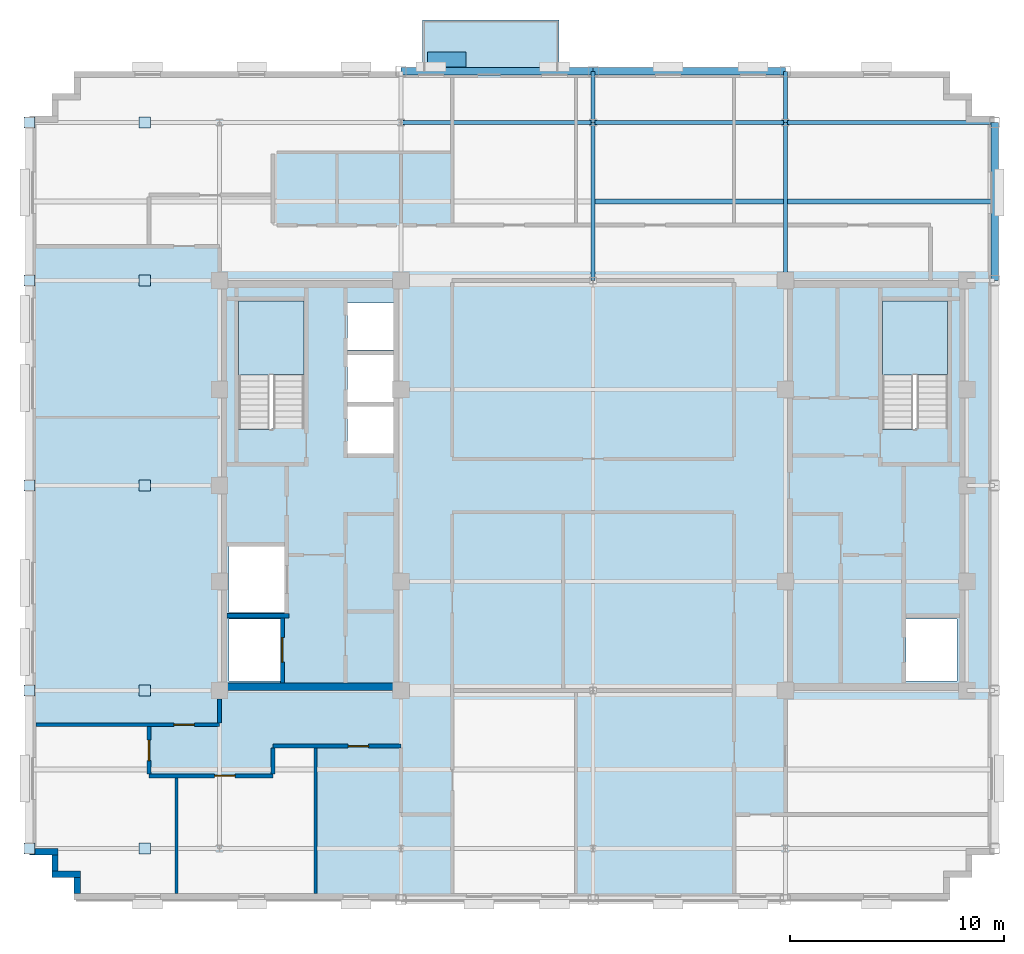
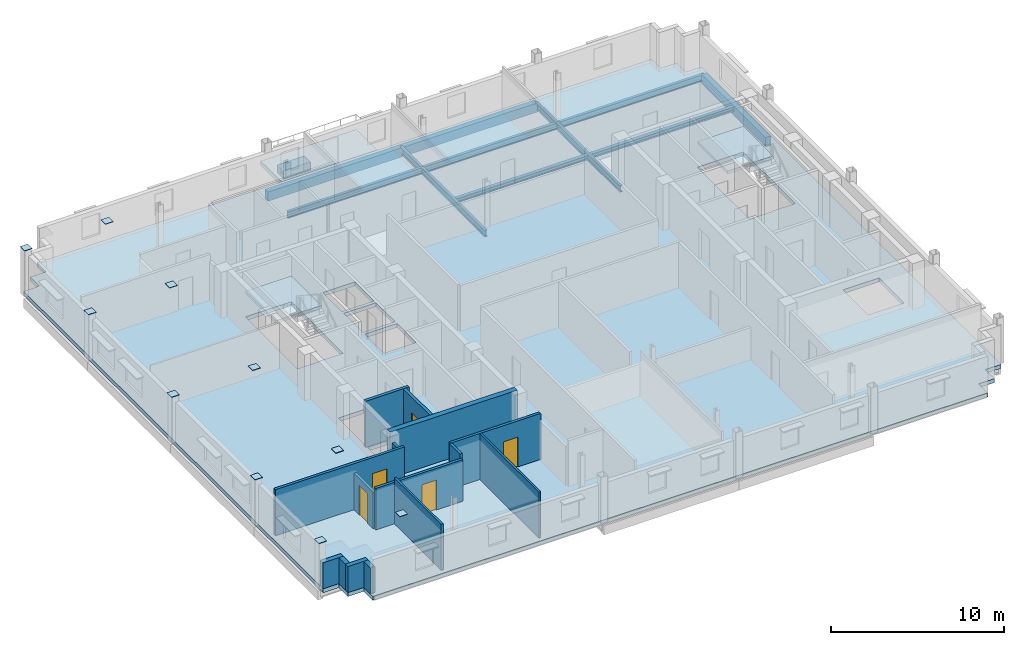
# One storey, part 5 of 14: 15 walls, 12 beams, 11 plates, 5 doors, 4 slabs, 5 openings, 2 elements without a shape of their own.
"""IFC4 building model written with IfcOpenShell, lengths in metres."""

from ifc_helpers import new_model, si_unit, direction, frame, frame_2d, origin, origin_2d, place, context, subcontext, project, spatial, polyline, rectangle, i_section, outline, extrude, source, transform, mapped, material, layer, layer_set, material_profile, profile_set, type_object, type_shapes, element, fill, aggregate, save


model = new_model("IFC4")

# Units and contexts
model_context = context("Model", 3, precision=1e-05, world=origin(), true_north=direction((0.0, 1.0)))
body_context = subcontext(model_context, "Body", "Model", "MODEL_VIEW")
ifc_project = project(units=[si_unit("LENGTHUNIT", "METRE"), si_unit("AREAUNIT", "SQUARE_METRE"), si_unit("VOLUMEUNIT", "CUBIC_METRE"), si_unit("PLANEANGLEUNIT", "RADIAN"), si_unit("MASSUNIT", "GRAM", prefix="KILO")], contexts=[model_context])

# Site, building, storey
site_placement = place(None, origin())
site = spatial("IfcSite", under=ifc_project, at=site_placement, CompositionType="ELEMENT")
building_placement = place(site_placement, origin())
building = spatial("IfcBuilding", under=site, at=building_placement, Name="Nuvemarco Arch Tower", CompositionType="ELEMENT")
storey_placement = place(building_placement, frame((0.0, 0.0, 242.0)))
storey = spatial("IfcBuildingStorey", under=building, at=storey_placement, Name="L64", CompositionType="ELEMENT", Elevation=242.0)

# Beams
ifc_material_1 = material(Name="Steel S355", Category="steel")
ifc_material_profile_1 = material_profile(ifc_material_1, i_section(OverallWidth=0.19189453125, OverallDepth=0.462890625, WebThickness=0.010498046875, FlangeThickness=0.017578125, FilletRadius=0.014892578125, at=origin_2d()), Name="W460x89")
ifc_profile_set_1 = profile_set([ifc_material_profile_1], Name="Steel S355")
beam_type_1 = type_object("IfcBeamType", Name="BM-GIRD-460", PredefinedType="BEAM", material=ifc_profile_set_1)
beam_1_placement = place(storey_placement, frame((0.0, 9.60009765625, -0.511474609375), z_axis=(0.0, 1.0, 0.0), x_axis=(-1.0, 0.0, 0.0)))
element("IfcBeam", 1, at=beam_1_placement, inside=storey, type_object=beam_type_1, Name="L64 structural beam BGNS_L64_0_+0.0_+9.6", PredefinedType="BEAM", context=body_context, shape_type="SweptSolid", body=[
    extrude(i_section(OverallWidth=0.19189453125, OverallDepth=0.462890625, WebThickness=0.010498046875, FlangeThickness=0.017578125, FilletRadius=0.014892578125, at=origin_2d()), origin(), (0.0, 0.0, 1.0), 7.39990234375),
])
beam_2_placement = place(storey_placement, frame((0.0, 17.0, -0.511474609375), z_axis=(0.0, 1.0, 0.0), x_axis=(-1.0, 0.0, 0.0)))
element("IfcBeam", 2, at=beam_2_placement, inside=storey, type_object=beam_type_1, Name="L64 structural beam BGNS_L64_0_+0.0_+17.0", PredefinedType="BEAM", context=body_context, shape_type="SweptSolid", body=[
    extrude(i_section(OverallWidth=0.19189453125, OverallDepth=0.462890625, WebThickness=0.010498046875, FlangeThickness=0.017578125, FilletRadius=0.014892578125, at=origin_2d()), origin(), (0.0, 0.0, 1.0), 2.39990234375),
])
beam_3_placement = place(storey_placement, frame((9.0, 9.60009765625, -0.511474609375), z_axis=(0.0, 1.0, 0.0), x_axis=(-1.0, 0.0, 0.0)))
element("IfcBeam", 3, at=beam_3_placement, inside=storey, type_object=beam_type_1, Name="L64 structural beam BGNS_L64_0_+9.0_+9.6", PredefinedType="BEAM", context=body_context, shape_type="SweptSolid", body=[
    extrude(i_section(OverallWidth=0.19189453125, OverallDepth=0.462890625, WebThickness=0.010498046875, FlangeThickness=0.017578125, FilletRadius=0.014892578125, at=origin_2d()), origin(), (0.0, 0.0, 1.0), 7.39990234375),
])
beam_4_placement = place(storey_placement, frame((9.0, 17.0, -0.511474609375), z_axis=(0.0, 1.0, 0.0), x_axis=(-1.0, 0.0, 0.0)))
element("IfcBeam", 4, at=beam_4_placement, inside=storey, type_object=beam_type_1, Name="L64 structural beam BGNS_L64_0_+9.0_+17.0", PredefinedType="BEAM", context=body_context, shape_type="SweptSolid", body=[
    extrude(i_section(OverallWidth=0.19189453125, OverallDepth=0.462890625, WebThickness=0.010498046875, FlangeThickness=0.017578125, FilletRadius=0.014892578125, at=origin_2d()), origin(), (0.0, 0.0, 1.0), 2.39990234375),
])
for number, where, z_axis, x_axis, name in (
    (5, (-9.0, 17.0, -0.511474609375), (1.0, 0.0, 0.0), (0.0, 1.0, 0.0), "L64 structural beam BGEW_L64_0_+17.0_-9.0"),
    (6, (0.0, 17.0, -0.511474609375), (1.0, 0.0, 0.0), (0.0, 1.0, 0.0), "L64 structural beam BGEW_L64_0_+17.0_+0.0"),
):
    element("IfcBeam", number, at=place(storey_placement, frame(where, z_axis=z_axis, x_axis=x_axis)), inside=storey, type_object=beam_type_1, Name=name, PredefinedType="BEAM", context=body_context, shape_type="SweptSolid", body=[
        extrude(i_section(OverallWidth=0.19189453125, OverallDepth=0.462890625, WebThickness=0.010498046875, FlangeThickness=0.017578125, FilletRadius=0.014892578125, at=origin_2d()), origin(), (0.0, 0.0, 1.0), 9.0),
    ])
beam_5_placement = place(storey_placement, frame((9.0, 17.0, -0.511474609375), z_axis=(1.0, 0.0, 0.0), x_axis=(0.0, 1.0, 0.0)))
element("IfcBeam", 7, at=beam_5_placement, inside=storey, type_object=beam_type_1, Name="L64 structural beam BGEW_L64_0_+17.0_+9.0", PredefinedType="BEAM", context=body_context, shape_type="SweptSolid", body=[
    extrude(i_section(OverallWidth=0.19189453125, OverallDepth=0.462890625, WebThickness=0.010498046875, FlangeThickness=0.017578125, FilletRadius=0.014892578125, at=origin_2d()), origin(), (0.0, 0.0, 1.0), 9.800048828125),
])
ifc_material_profile_2 = material_profile(ifc_material_1, i_section(OverallWidth=0.25390625, OverallDepth=0.305908203125, WebThickness=0.0087890625, FlangeThickness=0.0146484375, FilletRadius=0.014892578125, at=origin_2d()), Name="W310x79")
ifc_profile_set_2 = profile_set([ifc_material_profile_2], Name="Steel S355")
beam_type_2 = type_object("IfcBeamType", Name="BM-JOIST-310H", PredefinedType="JOIST", material=ifc_profile_set_2)
beam_6_placement = place(storey_placement, frame((0.095947265625, 13.300048828125, -0.43310546875), z_axis=(1.0, 0.0, 0.0), x_axis=(0.0, 1.0, 0.0)))
element("IfcBeam", 8, at=beam_6_placement, inside=storey, type_object=beam_type_2, Name="L64 structural beam BJ_L64_0_+13.3_+0.0", PredefinedType="JOIST", context=body_context, shape_type="SweptSolid", body=[
    extrude(i_section(OverallWidth=0.25390625, OverallDepth=0.305908203125, WebThickness=0.0087890625, FlangeThickness=0.0146484375, FilletRadius=0.014892578125, at=origin_2d()), origin(), (0.0, 0.0, 1.0), 8.80810546875),
])
beam_7_placement = place(storey_placement, frame((9.095947265625, 13.300048828125, -0.43310546875), z_axis=(1.0, 0.0, 0.0), x_axis=(0.0, 1.0, 0.0)))
element("IfcBeam", 9, at=beam_7_placement, inside=storey, type_object=beam_type_2, Name="L64 structural beam BJ_L64_0_+13.3_+9.0", PredefinedType="JOIST", context=body_context, shape_type="SweptSolid", body=[
    extrude(i_section(OverallWidth=0.25390625, OverallDepth=0.305908203125, WebThickness=0.0087890625, FlangeThickness=0.0146484375, FilletRadius=0.014892578125, at=origin_2d()), origin(), (0.0, 0.0, 1.0), 9.529052734375),
])
ifc_material_2 = material(Name="Precast concrete C45/55", Category="concrete")
ifc_material_profile_3 = material_profile(ifc_material_2, rectangle(XDim=0.35009765625, YDim=0.64990234375, at=origin_2d()), Name="PC-SP-350x650")
ifc_profile_set_3 = profile_set([ifc_material_profile_3], Name="Precast concrete C45/55")
beam_type_3 = type_object("IfcBeamType", Name="BM-SPAN-RC", PredefinedType="SPANDREL", material=ifc_profile_set_3)
beam_8_placement = place(storey_placement, frame((18.800048828125, 9.60009765625, -0.60498046875), z_axis=(0.0, 1.0, 0.0), x_axis=(-1.0, 0.0, 0.0)))
element("IfcBeam", 10, at=beam_8_placement, inside=storey, type_object=beam_type_3, Name="L64 structural beam BGNS_L64_0_+18.8_+9.6", PredefinedType="SPANDREL", context=body_context, shape_type="SweptSolid", body=[
    extrude(rectangle(XDim=0.35009765625, YDim=0.64990234375, at=origin_2d()), origin(), (0.0, 0.0, 1.0), 7.39990234375),
])
for number, where, z_axis, x_axis, name in (
    (11, (-9.0, 19.39990234375, -0.60498046875), (1.0, 0.0, 0.0), (0.0, 1.0, 0.0), "L64 structural beam BGEW_L64_0_+19.4_-9.0"),
    (12, (0.0, 19.39990234375, -0.60498046875), (1.0, 0.0, 0.0), (0.0, 1.0, 0.0), "L64 structural beam BGEW_L64_0_+19.4_+0.0"),
):
    element("IfcBeam", number, at=place(storey_placement, frame(where, z_axis=z_axis, x_axis=x_axis)), inside=storey, type_object=beam_type_3, Name=name, PredefinedType="SPANDREL", context=body_context, shape_type="SweptSolid", body=[
        extrude(rectangle(XDim=0.35009765625, YDim=0.64990234375, at=origin_2d()), origin(), (0.0, 0.0, 1.0), 9.0),
    ])

# Slab
ifc_material_3 = material(Name="Concrete C50/60", Category="concrete")
ifc_layer_1 = layer(ifc_material_3, 0.280029296875, Name="SL-FLR-280")
ifc_layer_set_1 = layer_set([ifc_layer_1], Name="Concrete C50/60")
slab_type_1 = type_object("IfcSlabType", Name="SL-FLR-280", PredefinedType="FLOOR", material=ifc_layer_set_1)
slab_1_placement = place(storey_placement, frame((0.0, 0.0, -0.280029296875)))
element("IfcSlab", 13, at=slab_1_placement, inside=storey, type_object=slab_type_1, Name="L64 structural floor slab", PredefinedType="FLOOR", context=body_context, shape_type="SweptSolid", body=[
    extrude(outline(polyline([(-24.300048828125, -19.39990234375), (16.699951171875, -19.39990234375), (16.699951171875, -18.35009765625), (17.75, -18.35009765625), (17.75, -17.300048828125), (18.800048828125, -17.300048828125), (18.800048828125, 17.300048828125), (17.75, 17.300048828125), (17.75, 18.35009765625), (16.699951171875, 18.35009765625), (16.699951171875, 19.39990234375), (-24.300048828125, 19.39990234375), (-24.300048828125, 18.35009765625), (-25.35009765625, 18.35009765625), (-25.35009765625, 17.300048828125), (-26.39990234375, 17.300048828125), (-26.39990234375, -17.300048828125), (-25.35009765625, -17.300048828125), (-25.35009765625, -18.35009765625), (-24.300048828125, -18.35009765625), (-24.300048828125, -19.39990234375)]), holes=[polyline([(-13.5400390625, 2.669921875), (-13.5400390625, 8.64990234375), (-16.60009765625, 8.64990234375), (-16.60009765625, 2.630615234375), (-15.070068359375, 2.630615234375), (-15.070068359375, 2.669921875), (-13.5400390625, 2.669921875)]), polyline([(16.60009765625, 2.669921875), (16.60009765625, 8.64990234375), (13.5400390625, 8.64990234375), (13.5400390625, 2.630615234375), (15.070068359375, 2.630615234375), (15.070068359375, 2.669921875), (16.60009765625, 2.669921875)]), polyline([(-17.050048828125, -9.14990234375), (-14.64990234375, -9.14990234375), (-14.64990234375, -6.25), (-17.050048828125, -6.25), (-17.050048828125, -9.14990234375)]), polyline([(-17.050048828125, -5.949951171875), (-14.449951171875, -5.949951171875), (-14.449951171875, -2.85009765625), (-17.050048828125, -2.85009765625), (-17.050048828125, -5.949951171875)]), polyline([(-11.5, 1.5), (-9.35009765625, 1.5), (-9.35009765625, 3.699951171875), (-11.5, 3.699951171875), (-11.5, 1.5)]), polyline([(-11.5, 3.919921875), (-9.35009765625, 3.919921875), (-9.35009765625, 6.1201171875), (-11.5, 6.1201171875), (-11.5, 3.919921875)]), polyline([(-11.5, 6.340087890625), (-9.35009765625, 6.340087890625), (-9.35009765625, 8.5400390625), (-11.5, 8.5400390625), (-11.5, 6.340087890625)]), polyline([(14.64990234375, -9.14990234375), (17.050048828125, -9.14990234375), (17.050048828125, -6.25), (14.64990234375, -6.25), (14.64990234375, -9.14990234375)])]), origin(), (0.0, 0.0, 1.0), 0.280029296875),
])

# Stair, slab
stair_type = type_object("IfcStairType", Name="ST-CORE-20R", PredefinedType="HALF_TURN_STAIR", material=ifc_material_2)
stair_1_placement = place(storey_placement, origin())
stair_1 = element("IfcStair", 14, at=stair_1_placement, inside=storey, type_object=stair_type, Name="L64 Protected Exit Stair ST-1", PredefinedType="HALF_TURN_STAIR")
ifc_layer_2 = layer(ifc_material_2, 0.199951171875, Name="SL-LANDING-200")
ifc_layer_set_2 = layer_set([ifc_layer_2], Name="Precast concrete C45/55")
slab_type_2 = type_object("IfcSlabType", Name="SL-LANDING-200", PredefinedType="LANDING", material=ifc_layer_set_2)
slab_2_placement = place(storey_placement, frame((0.0, 0.0, 1.625)))
slab_2 = element("IfcSlab", 15, at=slab_2_placement, type_object=slab_type_2, Name="ST-20R landing 1", PredefinedType="LANDING", context=body_context, shape_type="SweptSolid", body=[
    extrude(outline(polyline([(-13.5400390625, 5.189453125), (-13.5400390625, 8.64990234375), (-16.60009765625, 8.64990234375), (-16.60009765625, 5.169921875), (-15.070068359375, 5.169921875), (-15.070068359375, 5.189453125), (-13.5400390625, 5.189453125)])), origin(), (0.0, 0.0, 1.0), 0.199951171875),
])
aggregate(stair_1, [slab_2])

stair_2_placement = place(storey_placement, origin())
stair_2 = element("IfcStair", 16, at=stair_2_placement, inside=storey, type_object=stair_type, Name="L64 Protected Exit Stair ST-2", PredefinedType="HALF_TURN_STAIR")
slab_3_placement = place(storey_placement, frame((0.0, 0.0, 1.625)))
slab_3 = element("IfcSlab", 17, at=slab_3_placement, type_object=slab_type_2, Name="ST-20R landing 1", PredefinedType="LANDING", context=body_context, shape_type="SweptSolid", body=[
    extrude(outline(polyline([(16.60009765625, 5.189453125), (16.60009765625, 8.64990234375), (13.5400390625, 8.64990234375), (13.5400390625, 5.169921875), (15.070068359375, 5.169921875), (15.070068359375, 5.189453125), (16.60009765625, 5.189453125)])), origin(), (0.0, 0.0, 1.0), 0.199951171875),
])
aggregate(stair_2, [slab_3])

# Slab
ifc_layer_3 = layer(ifc_material_3, 0.294921875, Name="SL-TR4")
ifc_layer_set_3 = layer_set([ifc_layer_3], Name="Concrete C50/60")
slab_type_3 = type_object("IfcSlabType", Name="SL-TR4", PredefinedType="FLOOR", material=ifc_layer_set_3)
slab_4_placement = place(storey_placement, frame((0.0, 0.0, -0.294921875)))
element("IfcSlab", 18, at=slab_4_placement, inside=storey, type_object=slab_type_3, Name="L64 outdoor spiral terrace slab 1", PredefinedType="FLOOR", context=body_context, shape_type="SweptSolid", body=[
    extrude(outline(polyline([(-8.0, 19.39990234375), (-1.60009765625, 19.39990234375), (-1.60009765625, 21.800048828125), (-8.0, 21.800048828125), (-8.0, 19.39990234375)])), origin(), (0.0, 0.0, 1.0), 0.294921875),
])

# Plates
ifc_layer_4 = layer(ifc_material_1, 0.030029296875, Name="PL-CAP-500-EXT")
ifc_layer_set_4 = layer_set([ifc_layer_4], Name="Steel S355")
plate_type_1 = type_object("IfcPlateType", Name="PL-CAP-500-EXT", PredefinedType="SHEET", material=ifc_layer_set_4)
shared_shape_1 = source(origin(), body_context, "Body", "SweptSolid", [
    extrude(rectangle(XDim=0.52001953125, YDim=0.52001953125, at=origin_2d()), origin(), (0.0, 0.0, 1.0), 0.030029296875),
])
type_shapes(plate_type_1, [shared_shape_1])
for number, where, z_axis, x_axis, name in (
    (19, (-26.39990234375, -17.0, 3.23486328125), (0.0, 0.0, 1.0), (1.0, 0.0, 0.0), "Hollow steel end-cap plate COL-L64-CX_-26.4_-17.0_TOP"),
    (20, (-26.39990234375, -9.60009765625, 3.23486328125), (0.0, 0.0, 1.0), (1.0, 0.0, 0.0), "Hollow steel end-cap plate COL-L64-CX_-26.4_-9.6_TOP"),
    (21, (-26.39990234375, 0.0, 3.23486328125), (0.0, 0.0, 1.0), (1.0, 0.0, 0.0), "Hollow steel end-cap plate COL-L64-CX_-26.4_+0.0_TOP"),
    (22, (-26.39990234375, 9.60009765625, 3.23486328125), (0.0, 0.0, 1.0), (1.0, 0.0, 0.0), "Hollow steel end-cap plate COL-L64-CX_-26.4_+9.6_TOP"),
    (23, (-26.39990234375, 17.0, 3.23486328125), (0.0, 0.0, 1.0), (1.0, 0.0, 0.0), "Hollow steel end-cap plate COL-L64-CX_-26.4_+17.0_TOP"),
    (24, (-21.0, -17.0, 3.23486328125), (0.0, 0.0, 1.0), (1.0, 0.0, 0.0), "Hollow steel end-cap plate COL-L65-CX_-21.0_-17.0_BOT"),
    (25, (-21.0, -9.60009765625, 3.23486328125), (0.0, 0.0, 1.0), (1.0, 0.0, 0.0), "Hollow steel end-cap plate COL-L65-CX_-21.0_-9.6_BOT"),
    (26, (-21.0, 0.0, 3.23486328125), (0.0, 0.0, 1.0), (1.0, 0.0, 0.0), "Hollow steel end-cap plate COL-L65-CX_-21.0_+0.0_BOT"),
    (27, (-21.0, 9.60009765625, 3.23486328125), (0.0, 0.0, 1.0), (1.0, 0.0, 0.0), "Hollow steel end-cap plate COL-L65-CX_-21.0_+9.6_BOT"),
    (28, (-21.0, 17.0, 3.23486328125), (0.0, 0.0, 1.0), (1.0, 0.0, 0.0), "Hollow steel end-cap plate COL-L65-CX_-21.0_+17.0_BOT"),
):
    element("IfcPlate", number, at=place(storey_placement, frame(where, z_axis=z_axis, x_axis=x_axis)), inside=storey, type_object=plate_type_1, Name=name, PredefinedType="SHEET", context=body_context, shape_type="MappedRepresentation", body=[
        mapped(shared_shape_1, transform((0.0, 0.0, 0.0), scale=1.0)),
    ])
ifc_layer_5 = layer(ifc_material_2, 0.550048828125, Name="Tree Balcony Structural Planter")
ifc_layer_set_5 = layer_set([ifc_layer_5], Name="Precast concrete C45/55")
plate_type_2 = type_object("IfcPlateType", Name="Tree Balcony Structural Planter", PredefinedType="USERDEFINED", material=ifc_layer_set_5)
shared_shape_2 = source(origin(), body_context, "Body", "SweptSolid", [
    extrude(rectangle(XDim=1.800048828125, YDim=0.699951171875, at=origin_2d()), origin(), (0.0, 0.0, 1.0), 0.550048828125),
])
type_shapes(plate_type_2, [shared_shape_2])
plate_placement = place(storey_placement, frame((-6.85009765625, 19.949951171875, 0.0), z_axis=(0.0, 0.0, 1.0), x_axis=(1.0, 0.0, 0.0)))
element("IfcPlate", 29, at=plate_placement, inside=storey, type_object=plate_type_2, Name="L64 Tree Balcony Structural Planter", ObjectType="PLANTER", PredefinedType="USERDEFINED", context=body_context, shape_type="MappedRepresentation", body=[
    mapped(shared_shape_2, transform((0.0, 0.0, 0.0), scale=1.0)),
])

# Walls
ifc_layer_6 = layer(ifc_material_2, 0.300048828125, Name="EW-HIGH-300")
ifc_layer_set_6 = layer_set([ifc_layer_6], Name="Precast concrete C45/55")
wall_type_1 = type_object("IfcWallType", Name="EW-HIGH-300", PredefinedType="STANDARD", material=ifc_layer_set_6)
wall_1_placement = place(storey_placement, frame((-26.39990234375, -17.14990234375, 0.0), z_axis=(0.0, 0.0, 1.0), x_axis=(1.0, 0.0, 0.0)))
element("IfcWall", 30, at=wall_1_placement, inside=storey, type_object=wall_type_1, Name="L64 exterior precast facade wall 17", PredefinedType="STANDARD", context=body_context, shape_type="SweptSolid", body=[
    extrude(rectangle(XDim=1.349853515625, YDim=0.300048828125, at=frame_2d((0.6748046875, 0.0))), origin(), (0.0, 0.0, 1.0), 1.8349609375),
])
wall_2_placement = place(storey_placement, frame((-25.199951171875, -18.053955078125, 0.0), z_axis=(0.0, 0.0, 1.0), x_axis=(0.0, 1.0, 0.0)))
element("IfcWall", 31, at=wall_2_placement, inside=storey, type_object=wall_type_1, Name="L64 exterior precast facade wall 18", PredefinedType="STANDARD", context=body_context, shape_type="SweptSolid", body=[
    extrude(rectangle(XDim=0.758056640625, YDim=0.300048828125, at=frame_2d((0.37890625, 0.0))), origin(), (0.0, 0.0, 1.0), 1.8349609375),
])
wall_3_placement = place(storey_placement, frame((-25.35009765625, -18.199951171875, 0.0), z_axis=(0.0, 0.0, 1.0), x_axis=(1.0, 0.0, 0.0)))
element("IfcWall", 32, at=wall_3_placement, inside=storey, type_object=wall_type_1, Name="L64 exterior precast facade wall 19", PredefinedType="STANDARD", context=body_context, shape_type="SweptSolid", body=[
    extrude(rectangle(XDim=1.35009765625, YDim=0.300048828125, at=frame_2d((0.675048828125, 0.0))), origin(), (0.0, 0.0, 1.0), 1.8349609375),
])
wall_4_placement = place(storey_placement, frame((-24.14990234375, -19.10400390625, 0.0), z_axis=(0.0, 0.0, 1.0), x_axis=(0.0, 1.0, 0.0)))
element("IfcWall", 33, at=wall_4_placement, inside=storey, type_object=wall_type_1, Name="L64 exterior precast facade wall 20", PredefinedType="STANDARD", context=body_context, shape_type="SweptSolid", body=[
    extrude(rectangle(XDim=0.758056640625, YDim=0.300048828125, at=frame_2d((0.37890625, 0.0))), origin(), (0.0, 0.0, 1.0), 1.8349609375),
])
ifc_layer_7 = layer(ifc_material_3, 0.35009765625, Name="WL-CORE-350")
ifc_layer_set_7 = layer_set([ifc_layer_7], Name="Concrete C50/60")
wall_type_2 = type_object("IfcWallType", Name="WL-CORE-350", PredefinedType="SHEAR", material=ifc_layer_set_7)
wall_5_placement = place(storey_placement, frame((-17.5, -9.425048828125, 0.0), z_axis=(0.0, 0.0, 1.0), x_axis=(1.0, 0.0, 0.0)))
element("IfcWall", 34, at=wall_5_placement, inside=storey, type_object=wall_type_2, Name="L64 W-core shear wall S", PredefinedType="SHEAR", context=body_context, shape_type="SweptSolid", body=[
    extrude(rectangle(XDim=8.5, YDim=0.35009765625, at=frame_2d((4.25, 0.0))), origin(), (0.0, 0.0, 1.0), 3.25),
])

# Wall, opening, door
ifc_material_4 = material(Name="Fire-rated gypsum drywall partition")
ifc_layer_8 = layer(ifc_material_4, 0.179931640625, Name="WL-CORR-180")
ifc_layer_set_8 = layer_set([ifc_layer_8], Name="Fire-rated gypsum drywall partition")
wall_type_3 = type_object("IfcWallType", Name="WL-CORR-180", PredefinedType="PARTITIONING", material=ifc_layer_set_8)
wall_6_placement = place(storey_placement, frame((-20.800048828125, -13.60009765625, 0.0), z_axis=(0.0, 0.0, 1.0), x_axis=(1.0, 0.0, 0.0)))
wall_6 = element("IfcWall", 35, at=wall_6_placement, inside=storey, type_object=wall_type_3, Name="L64 interior wall IW-L64-003", PredefinedType="PARTITIONING", context=body_context, shape_type="SweptSolid", body=[
    extrude(rectangle(XDim=5.800048828125, YDim=0.179931640625, at=frame_2d((2.89990234375, 0.0))), origin(), (0.0, 0.0, 1.0), 2.928955078125),
])
opening_1_placement = place(wall_6_placement, frame((3.070068359375, 0.0, 0.0)))
opening_1 = element("IfcOpeningElement", 36, at=opening_1_placement, cuts=wall_6, Name="Opening FD-5", PredefinedType="OPENING", context=body_context, shape_type="SweptSolid", body=[
    extrude(rectangle(XDim=0.9599609375, YDim=2.10009765625, at=frame_2d((0.47998046875, 1.050048828125))), frame((0.0, 0.099853515625, 0.0), z_axis=(0.0, -1.0, 0.0), x_axis=(1.0, 0.0, 0.0)), (0.0, 0.0, 1.0), 0.199951171875),
])
ifc_material_5 = material(Name="Timber fire door", Category="wood")
door_type_1 = type_object("IfcDoorType", Name="DR-CORR-FD", OperationType="NOTDEFINED", PredefinedType="DOOR", material=ifc_material_5)
shared_shape_3 = source(origin(), body_context, "Body", "SweptSolid", [
    extrude(rectangle(XDim=0.9599609375, YDim=2.10009765625, at=frame_2d((0.47998046875, 1.050048828125))), frame((0.0, 0.02490234375, 0.0), z_axis=(0.0, -1.0, 0.0), x_axis=(1.0, 0.0, 0.0)), (0.0, 0.0, 1.0), 0.050048828125),
])
type_shapes(door_type_1, [shared_shape_3])
door_1_placement = place(opening_1_placement, origin())
door_1 = element("IfcDoor", 37, at=door_1_placement, inside=storey, type_object=door_type_1, Name="L64 door DR-L64-S_2", OperationType="SINGLE_SWING_RIGHT", OverallHeight=2.10009765625, OverallWidth=0.9599609375, PredefinedType="DOOR", context=body_context, shape_type="MappedRepresentation", body=[
    mapped(shared_shape_3, transform((0.0, 0.0, 0.0), scale=1.0)),
])
fill(opening_1, door_1)

wall_7_placement = place(storey_placement, frame((-15.0, -12.199951171875, 0.0), z_axis=(0.0, 0.0, 1.0), x_axis=(1.0, 0.0, 0.0)))
wall_7 = element("IfcWall", 38, at=wall_7_placement, inside=storey, type_object=wall_type_3, Name="L64 interior wall IW-L64-004", PredefinedType="PARTITIONING", context=body_context, shape_type="SweptSolid", body=[
    extrude(rectangle(XDim=6.0, YDim=0.179931640625, at=frame_2d((3.0, 0.0))), origin(), (0.0, 0.0, 1.0), 3.239990234375),
])
opening_2_placement = place(wall_7_placement, frame((3.52001953125, 0.0, 0.0)))
opening_2 = element("IfcOpeningElement", 39, at=opening_2_placement, cuts=wall_7, Name="Opening FD-5", PredefinedType="OPENING", context=body_context, shape_type="SweptSolid", body=[
    extrude(rectangle(XDim=0.9599609375, YDim=2.10009765625, at=frame_2d((0.47998046875, 1.050048828125))), frame((0.0, 0.099853515625, 0.0), z_axis=(0.0, -1.0, 0.0), x_axis=(1.0, 0.0, 0.0)), (0.0, 0.0, 1.0), 0.199951171875),
])
door_2_placement = place(opening_2_placement, origin())
door_2 = element("IfcDoor", 40, at=door_2_placement, inside=storey, type_object=door_type_1, Name="L64 door DR-L64-S_3", OperationType="SINGLE_SWING_LEFT", OverallHeight=2.10009765625, OverallWidth=0.9599609375, PredefinedType="DOOR", context=body_context, shape_type="MappedRepresentation", body=[
    mapped(shared_shape_3, transform((0.0, 0.0, 0.0), scale=1.0)),
])
fill(opening_2, door_2)

wall_8_placement = place(storey_placement, frame((-26.10009765625, -11.199951171875, 0.0), z_axis=(0.0, 0.0, 1.0), x_axis=(1.0, 0.0, 0.0)))
wall_8 = element("IfcWall", 41, at=wall_8_placement, inside=storey, type_object=wall_type_3, Name="L64 interior wall IW-L64-005", PredefinedType="PARTITIONING", context=body_context, shape_type="SweptSolid", body=[
    extrude(rectangle(XDim=8.60009765625, YDim=0.179931640625, at=frame_2d((4.300048828125, 0.0))), origin(), (0.0, 0.0, 1.0), 3.239990234375),
])
opening_3_placement = place(wall_8_placement, frame((6.469970703125, 0.0, 0.0)))
opening_3 = element("IfcOpeningElement", 42, at=opening_3_placement, cuts=wall_8, Name="Opening FD-5", PredefinedType="OPENING", context=body_context, shape_type="SweptSolid", body=[
    extrude(rectangle(XDim=0.9599609375, YDim=2.10009765625, at=frame_2d((0.47998046875, 1.050048828125))), frame((0.0, 0.099853515625, 0.0), z_axis=(0.0, -1.0, 0.0), x_axis=(1.0, 0.0, 0.0)), (0.0, 0.0, 1.0), 0.199951171875),
])
door_3_placement = place(opening_3_placement, origin())
door_3 = element("IfcDoor", 43, at=door_3_placement, inside=storey, type_object=door_type_1, Name="L64 door DR-L64-W_1", OperationType="SINGLE_SWING_RIGHT", OverallHeight=2.10009765625, OverallWidth=0.9599609375, PredefinedType="DOOR", context=body_context, shape_type="MappedRepresentation", body=[
    mapped(shared_shape_3, transform((0.0, 0.0, 0.0), scale=1.0)),
])
fill(opening_3, door_3)

wall_9_placement = place(storey_placement, frame((-20.800048828125, -13.513916015625, 0.0), z_axis=(0.0, 0.0, 1.0), x_axis=(0.0, 1.0, 0.0)))
wall_9 = element("IfcWall", 44, at=wall_9_placement, inside=storey, type_object=wall_type_3, Name="L64 interior wall IW-L64-018", PredefinedType="PARTITIONING", context=body_context, shape_type="SweptSolid", body=[
    extrude(rectangle(XDim=2.22802734375, YDim=0.179931640625, at=frame_2d((1.114013671875, 0.0))), origin(), (0.0, 0.0, 1.0), 2.5849609375),
])
opening_4_placement = place(wall_9_placement, frame((0.634033203125, 0.0, 0.0)))
opening_4 = element("IfcOpeningElement", 45, at=opening_4_placement, cuts=wall_9, Name="Opening FD-5", PredefinedType="OPENING", context=body_context, shape_type="SweptSolid", body=[
    extrude(rectangle(XDim=0.9599609375, YDim=2.10009765625, at=frame_2d((0.47998046875, 1.050048828125))), frame((0.0, 0.099853515625, 0.0), z_axis=(0.0, -1.0, 0.0), x_axis=(1.0, 0.0, 0.0)), (0.0, 0.0, 1.0), 0.199951171875),
])
door_4_placement = place(opening_4_placement, origin())
door_4 = element("IfcDoor", 46, at=door_4_placement, inside=storey, type_object=door_type_1, Name="L64 door DR-L64-S_1", OperationType="SINGLE_SWING_LEFT", OverallHeight=2.10009765625, OverallWidth=0.9599609375, PredefinedType="DOOR", context=body_context, shape_type="MappedRepresentation", body=[
    mapped(shared_shape_3, transform((0.0, 0.0, 0.0), scale=1.0)),
])
fill(opening_4, door_4)

# Walls
wall_10_placement = place(storey_placement, frame((-17.5, -11.114013671875, 0.0), z_axis=(0.0, 0.0, 1.0), x_axis=(0.0, 1.0, 0.0)))
element("IfcWall", 47, at=wall_10_placement, inside=storey, type_object=wall_type_3, Name="L64 interior wall IW-L64-021", PredefinedType="PARTITIONING", context=body_context, shape_type="SweptSolid", body=[
    extrude(rectangle(XDim=1.117919921875, YDim=0.179931640625, at=frame_2d((0.55908203125, 0.0))), origin(), (0.0, 0.0, 1.0), 2.77197265625),
])
wall_11_placement = place(storey_placement, frame((-15.0, -13.513916015625, 0.0), z_axis=(0.0, 0.0, 1.0), x_axis=(0.0, 1.0, 0.0)))
element("IfcWall", 48, at=wall_11_placement, inside=storey, type_object=wall_type_3, Name="L64 interior wall IW-L64-023", PredefinedType="PARTITIONING", context=body_context, shape_type="SweptSolid", body=[
    extrude(rectangle(XDim=1.22802734375, YDim=0.179931640625, at=frame_2d((0.614013671875, 0.0))), origin(), (0.0, 0.0, 1.0), 3.239990234375),
])
ifc_material_6 = material(Name="Glazed acoustic office partition")
ifc_layer_9 = layer(ifc_material_6, 0.1298828125, Name="WL-EXEC-130")
ifc_layer_set_9 = layer_set([ifc_layer_9], Name="Glazed acoustic office partition")
wall_type_4 = type_object("IfcWallType", Name="WL-EXEC-130", PredefinedType="PARTITIONING", material=ifc_layer_set_9)
wall_12_placement = place(storey_placement, frame((-13.0, -19.10009765625, 0.0), z_axis=(0.0, 0.0, 1.0), x_axis=(0.0, 1.0, 0.0)))
element("IfcWall", 49, at=wall_12_placement, inside=storey, type_object=wall_type_4, Name="L64 interior wall IW-L64-025", PredefinedType="PARTITIONING", context=body_context, shape_type="SweptSolid", body=[
    extrude(rectangle(XDim=6.814208984375, YDim=0.1298828125, at=frame_2d((3.4072265625, 0.0))), origin(), (0.0, 0.0, 1.0), 3.239990234375),
])
ifc_material_7 = material(Name="Gypsum plasterboard partition")
ifc_layer_10 = layer(ifc_material_7, 0.139892578125, Name="WL-ROOM-140")
ifc_layer_set_10 = layer_set([ifc_layer_10], Name="Gypsum plasterboard partition")
wall_type_5 = type_object("IfcWallType", Name="WL-ROOM-140", PredefinedType="PARTITIONING", material=ifc_layer_set_10)
wall_13_placement = place(storey_placement, frame((-19.5, -19.10009765625, 0.0), z_axis=(0.0, 0.0, 1.0), x_axis=(0.0, 1.0, 0.0)))
element("IfcWall", 50, at=wall_13_placement, inside=storey, type_object=wall_type_5, Name="L64 interior wall IW-L64-020", PredefinedType="PARTITIONING", context=body_context, shape_type="SweptSolid", body=[
    extrude(rectangle(XDim=5.4140625, YDim=0.139892578125, at=frame_2d((2.70703125, 0.0))), origin(), (0.0, 0.0, 1.0), 3.239990234375),
])

# Wall, opening, door
ifc_layer_11 = layer(ifc_material_3, 0.199951171875, Name="WL-SHAFT-220")
ifc_layer_set_11 = layer_set([ifc_layer_11], Name="Concrete C50/60")
wall_type_6 = type_object("IfcWallType", Name="WL-SHAFT-220", PredefinedType="SHEAR", material=ifc_layer_set_11)
wall_14_placement = place(storey_placement, frame((-14.550048828125, -9.2548828125, 0.0), z_axis=(0.0, 0.0, 1.0), x_axis=(0.0, 1.0, 0.0)))
wall_14 = element("IfcWall", 51, at=wall_14_placement, inside=storey, type_object=wall_type_6, Name="L64 structural shaft wall SW-L64-W-SHE", PredefinedType="SHEAR", context=body_context, shape_type="SweptSolid", body=[
    extrude(rectangle(XDim=3.059814453125, YDim=0.199951171875, at=frame_2d((1.52978515625, 0.0))), origin(), (0.0, 0.0, 1.0), 3.25),
])
opening_5_placement = place(wall_14_placement, frame((0.97998046875, 0.0, 0.0)))
opening_5 = element("IfcOpeningElement", 52, at=opening_5_placement, cuts=wall_14, Name="Opening LD-2", PredefinedType="OPENING", context=body_context, shape_type="SweptSolid", body=[
    extrude(rectangle(XDim=1.14990234375, YDim=2.14990234375, at=frame_2d((0.574951171875, 1.074951171875))), frame((0.0, 0.10986328125, 0.0), z_axis=(0.0, -1.0, 0.0), x_axis=(1.0, 0.0, 0.0)), (0.0, 0.0, 1.0), 0.219970703125),
])
ifc_material_8 = material(Name="Stainless steel lift door", Category="steel")
door_type_2 = type_object("IfcDoorType", Name="DR-LIFT-FIRE", OperationType="DOUBLE_DOOR_SLIDING", PredefinedType="DOOR", material=ifc_material_8)
shared_shape_4 = source(origin(), body_context, "Body", "SweptSolid", [
    extrude(rectangle(XDim=1.14990234375, YDim=2.14990234375, at=frame_2d((0.574951171875, 1.074951171875))), frame((0.0, 0.02490234375, 0.0), z_axis=(0.0, -1.0, 0.0), x_axis=(1.0, 0.0, 0.0)), (0.0, 0.0, 1.0), 0.050048828125),
])
type_shapes(door_type_2, [shared_shape_4])
door_5_placement = place(opening_5_placement, origin())
door_5 = element("IfcDoor", 53, at=door_5_placement, inside=storey, type_object=door_type_2, Name="L64 Lift landing sliding door FFL-1", OperationType="DOUBLE_DOOR_SLIDING", OverallHeight=2.14990234375, OverallWidth=1.14990234375, PredefinedType="DOOR", context=body_context, shape_type="MappedRepresentation", body=[
    mapped(shared_shape_4, transform((0.0, 0.0, 0.0), scale=1.0)),
])
fill(opening_5, door_5)

# Wall
wall_15_placement = place(storey_placement, frame((-17.155029296875, -6.10009765625, 0.0), z_axis=(0.0, 0.0, 1.0), x_axis=(1.0, 0.0, 0.0)))
element("IfcWall", 54, at=wall_15_placement, inside=storey, type_object=wall_type_6, Name="L64 structural shaft wall SW-L64-W-SH1", PredefinedType="SHEAR", context=body_context, shape_type="SweptSolid", body=[
    extrude(rectangle(XDim=2.905029296875, YDim=0.199951171875, at=frame_2d((1.45263671875, 0.0))), origin(), (0.0, 0.0, 1.0), 3.25),
])

save(model, "model.ifc")
